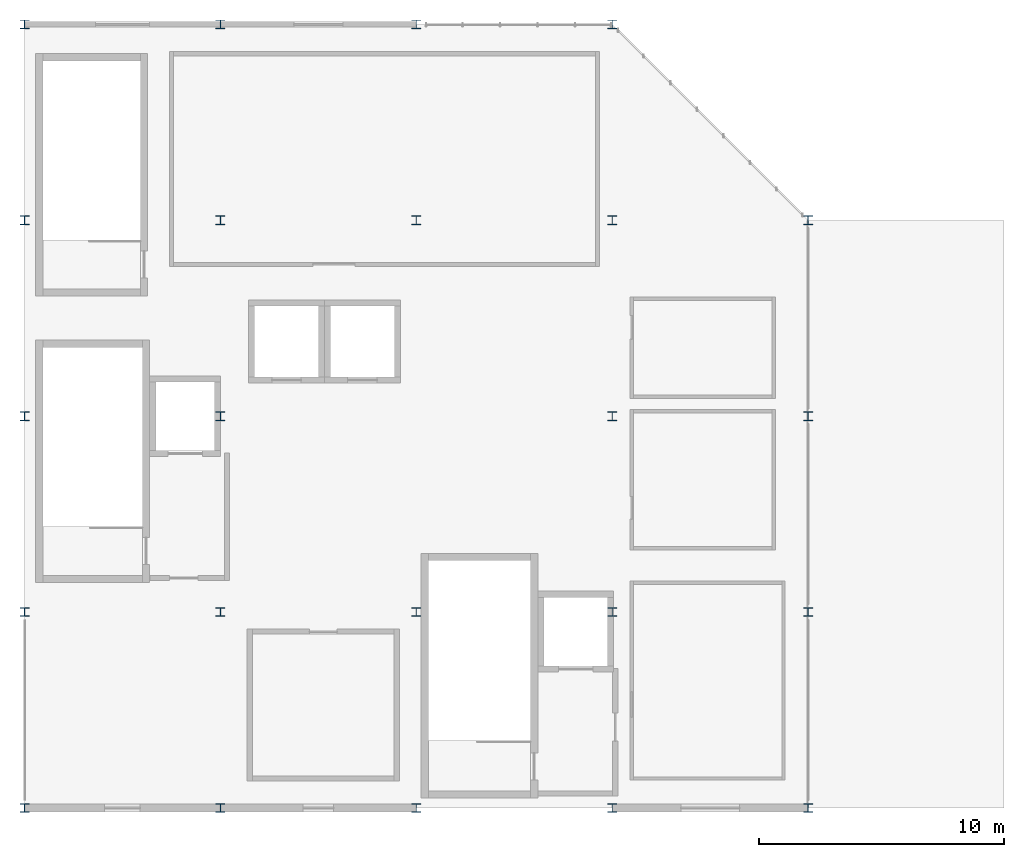
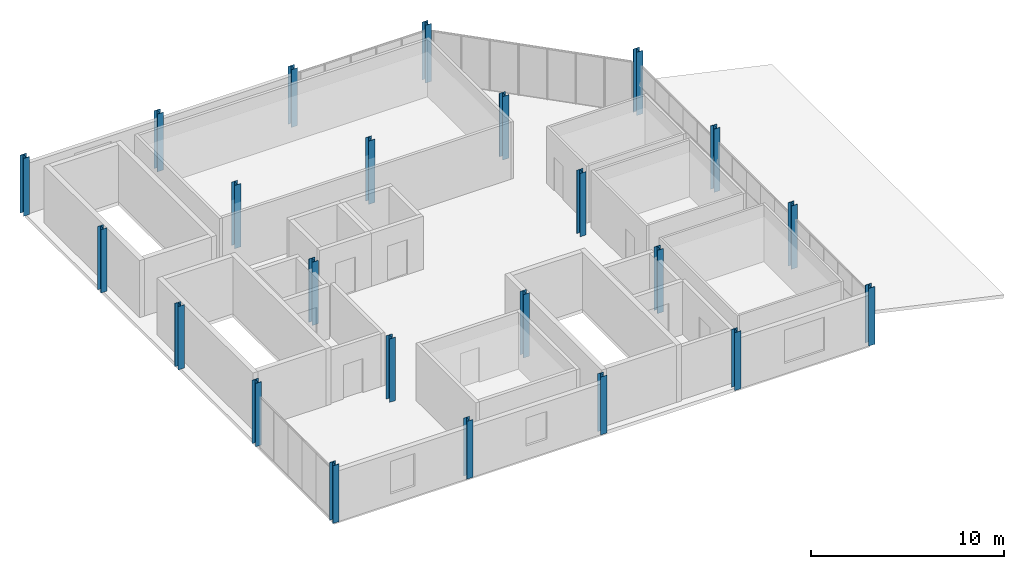
# One storey, part 1 of 7: 23 columns.
"""IFC4 building model written with IfcOpenShell, lengths in metres."""

from ifc_helpers import new_model, si_unit, direction, frame, origin, origin_2d, place, context, subcontext, project, spatial, i_section, extrude, material, material_profile, profile_set, type_object, element, save


model = new_model("IFC4")

# Units and contexts
model_context = context("Model", 3, precision=1e-05, world=origin(), true_north=direction((0.0, 1.0)))
body_context = subcontext(model_context, "Body", "Model", "MODEL_VIEW")
ifc_project = project(units=[si_unit("LENGTHUNIT", "METRE"), si_unit("AREAUNIT", "SQUARE_METRE"), si_unit("VOLUMEUNIT", "CUBIC_METRE"), si_unit("PLANEANGLEUNIT", "RADIAN"), si_unit("MASSUNIT", "GRAM", prefix="KILO")], contexts=[model_context])

# Site, building, storey
site_placement = place(None, origin())
site = spatial("IfcSite", under=ifc_project, at=site_placement, CompositionType="ELEMENT")
building_placement = place(site_placement, origin())
building = spatial("IfcBuilding", under=site, at=building_placement, Name="Drelvath Fold Interchange", CompositionType="ELEMENT")
storey_placement = place(building_placement, frame((0.0, 0.0, 24.0)))
storey = spatial("IfcBuildingStorey", under=building, at=storey_placement, Name="L05", CompositionType="ELEMENT", Elevation=24.0)

# Columns
ifc_material = material(Name="Steel ASTM A992 Grade 50", Category="steel")
ifc_material_profile = material_profile(ifc_material, i_section(OverallWidth=0.368896484375, OverallDepth=0.35595703125, WebThickness=0.01123046875, FlangeThickness=0.01806640625, at=origin_2d()), Name="W14X90")
ifc_profile_set = profile_set([ifc_material_profile], Name="Steel ASTM A992 Grade 50")
column_type = type_object("IfcColumnType", Name="COL-W14X90", PredefinedType="COLUMN", material=ifc_profile_set)
column_placement = place(storey_placement, frame((4.0, 3.0, 0.0), z_axis=(0.0, 0.0, 1.0), x_axis=(1.0, 0.0, 0.0)))
element("IfcColumn", 1, at=column_placement, inside=storey, type_object=column_type, Name="L05 column (4,3)", PredefinedType="COLUMN", context=body_context, shape_type="SweptSolid", body=[
    extrude(i_section(OverallWidth=0.368896484375, OverallDepth=0.35595703125, WebThickness=0.01123046875, FlangeThickness=0.01806640625, at=origin_2d()), origin(), (0.0, 0.0, 1.0), 3.64990234375),
])
for number, where, z_axis, x_axis, name in (
    (2, (4.0, 11.0, 0.0), (0.0, 0.0, 1.0), (1.0, 0.0, 0.0), "L05 column (4,11)"),
    (3, (4.0, 19.0, 0.0), (0.0, 0.0, 1.0), (1.0, 0.0, 0.0), "L05 column (4,19)"),
    (4, (4.0, 27.0, 0.0), (0.0, 0.0, 1.0), (1.0, 0.0, 0.0), "L05 column (4,27)"),
):
    element("IfcColumn", number, at=place(storey_placement, frame(where, z_axis=z_axis, x_axis=x_axis)), inside=storey, type_object=column_type, Name=name, PredefinedType="COLUMN", context=body_context, shape_type="SweptSolid", body=[
        extrude(i_section(OverallWidth=0.368896484375, OverallDepth=0.35595703125, WebThickness=0.01123046875, FlangeThickness=0.01806640625, at=origin_2d()), origin(), (0.0, 0.0, 1.0), 4.0),
    ])
for number, where, z_axis, x_axis, name in (
    (5, (4.0, 35.0, 0.0), (0.0, 0.0, 1.0), (1.0, 0.0, 0.0), "L05 column (4,35)"),
    (6, (12.0, 3.0, 0.0), (0.0, 0.0, 1.0), (1.0, 0.0, 0.0), "L05 column (12,3)"),
):
    element("IfcColumn", number, at=place(storey_placement, frame(where, z_axis=z_axis, x_axis=x_axis)), inside=storey, type_object=column_type, Name=name, PredefinedType="COLUMN", context=body_context, shape_type="SweptSolid", body=[
        extrude(i_section(OverallWidth=0.368896484375, OverallDepth=0.35595703125, WebThickness=0.01123046875, FlangeThickness=0.01806640625, at=origin_2d()), origin(), (0.0, 0.0, 1.0), 3.64990234375),
    ])
for number, where, z_axis, x_axis, name in (
    (7, (12.0, 11.0, 0.0), (0.0, 0.0, 1.0), (1.0, 0.0, 0.0), "L05 column (12,11)"),
    (8, (12.0, 19.0, 0.0), (0.0, 0.0, 1.0), (1.0, 0.0, 0.0), "L05 column (12,19)"),
    (9, (12.0, 27.0, 0.0), (0.0, 0.0, 1.0), (1.0, 0.0, 0.0), "L05 column (12,27)"),
):
    element("IfcColumn", number, at=place(storey_placement, frame(where, z_axis=z_axis, x_axis=x_axis)), inside=storey, type_object=column_type, Name=name, PredefinedType="COLUMN", context=body_context, shape_type="SweptSolid", body=[
        extrude(i_section(OverallWidth=0.368896484375, OverallDepth=0.35595703125, WebThickness=0.01123046875, FlangeThickness=0.01806640625, at=origin_2d()), origin(), (0.0, 0.0, 1.0), 4.0),
    ])
for number, where, z_axis, x_axis, name in (
    (10, (12.0, 35.0, 0.0), (0.0, 0.0, 1.0), (1.0, 0.0, 0.0), "L05 column (12,35)"),
    (11, (20.0, 3.0, 0.0), (0.0, 0.0, 1.0), (1.0, 0.0, 0.0), "L05 column (20,3)"),
):
    element("IfcColumn", number, at=place(storey_placement, frame(where, z_axis=z_axis, x_axis=x_axis)), inside=storey, type_object=column_type, Name=name, PredefinedType="COLUMN", context=body_context, shape_type="SweptSolid", body=[
        extrude(i_section(OverallWidth=0.368896484375, OverallDepth=0.35595703125, WebThickness=0.01123046875, FlangeThickness=0.01806640625, at=origin_2d()), origin(), (0.0, 0.0, 1.0), 3.64990234375),
    ])
for number, where, z_axis, x_axis, name in (
    (12, (20.0, 11.0, 0.0), (0.0, 0.0, 1.0), (1.0, 0.0, 0.0), "L05 column (20,11)"),
    (13, (20.0, 27.0, 0.0), (0.0, 0.0, 1.0), (1.0, 0.0, 0.0), "L05 column (20,27)"),
):
    element("IfcColumn", number, at=place(storey_placement, frame(where, z_axis=z_axis, x_axis=x_axis)), inside=storey, type_object=column_type, Name=name, PredefinedType="COLUMN", context=body_context, shape_type="SweptSolid", body=[
        extrude(i_section(OverallWidth=0.368896484375, OverallDepth=0.35595703125, WebThickness=0.01123046875, FlangeThickness=0.01806640625, at=origin_2d()), origin(), (0.0, 0.0, 1.0), 4.0),
    ])
for number, where, z_axis, x_axis, name in (
    (14, (20.0, 35.0, 0.0), (0.0, 0.0, 1.0), (1.0, 0.0, 0.0), "L05 column (20,35)"),
    (15, (28.0, 3.0, 0.0), (0.0, 0.0, 1.0), (1.0, 0.0, 0.0), "L05 column (28,3)"),
):
    element("IfcColumn", number, at=place(storey_placement, frame(where, z_axis=z_axis, x_axis=x_axis)), inside=storey, type_object=column_type, Name=name, PredefinedType="COLUMN", context=body_context, shape_type="SweptSolid", body=[
        extrude(i_section(OverallWidth=0.368896484375, OverallDepth=0.35595703125, WebThickness=0.01123046875, FlangeThickness=0.01806640625, at=origin_2d()), origin(), (0.0, 0.0, 1.0), 3.64990234375),
    ])
for number, where, z_axis, x_axis, name in (
    (16, (28.0, 11.0, 0.0), (0.0, 0.0, 1.0), (1.0, 0.0, 0.0), "L05 column (28,11)"),
    (17, (28.0, 19.0, 0.0), (0.0, 0.0, 1.0), (1.0, 0.0, 0.0), "L05 column (28,19)"),
    (18, (28.0, 27.0, 0.0), (0.0, 0.0, 1.0), (1.0, 0.0, 0.0), "L05 column (28,27)"),
):
    element("IfcColumn", number, at=place(storey_placement, frame(where, z_axis=z_axis, x_axis=x_axis)), inside=storey, type_object=column_type, Name=name, PredefinedType="COLUMN", context=body_context, shape_type="SweptSolid", body=[
        extrude(i_section(OverallWidth=0.368896484375, OverallDepth=0.35595703125, WebThickness=0.01123046875, FlangeThickness=0.01806640625, at=origin_2d()), origin(), (0.0, 0.0, 1.0), 4.0),
    ])
for number, where, z_axis, x_axis, name in (
    (19, (28.0, 35.0, 0.0), (0.0, 0.0, 1.0), (1.0, 0.0, 0.0), "L05 column (28,35)"),
    (20, (36.0, 3.0, 0.0), (0.0, 0.0, 1.0), (1.0, 0.0, 0.0), "L05 column (36,3)"),
):
    element("IfcColumn", number, at=place(storey_placement, frame(where, z_axis=z_axis, x_axis=x_axis)), inside=storey, type_object=column_type, Name=name, PredefinedType="COLUMN", context=body_context, shape_type="SweptSolid", body=[
        extrude(i_section(OverallWidth=0.368896484375, OverallDepth=0.35595703125, WebThickness=0.01123046875, FlangeThickness=0.01806640625, at=origin_2d()), origin(), (0.0, 0.0, 1.0), 3.64990234375),
    ])
for number, where, z_axis, x_axis, name in (
    (21, (36.0, 11.0, 0.0), (0.0, 0.0, 1.0), (1.0, 0.0, 0.0), "L05 column (36,11)"),
    (22, (36.0, 19.0, 0.0), (0.0, 0.0, 1.0), (1.0, 0.0, 0.0), "L05 column (36,19)"),
    (23, (36.0, 27.0, 0.0), (0.0, 0.0, 1.0), (1.0, 0.0, 0.0), "L05 column (36,27)"),
):
    element("IfcColumn", number, at=place(storey_placement, frame(where, z_axis=z_axis, x_axis=x_axis)), inside=storey, type_object=column_type, Name=name, PredefinedType="COLUMN", context=body_context, shape_type="SweptSolid", body=[
        extrude(i_section(OverallWidth=0.368896484375, OverallDepth=0.35595703125, WebThickness=0.01123046875, FlangeThickness=0.01806640625, at=origin_2d()), origin(), (0.0, 0.0, 1.0), 4.0),
    ])

save(model, "model.ifc")
